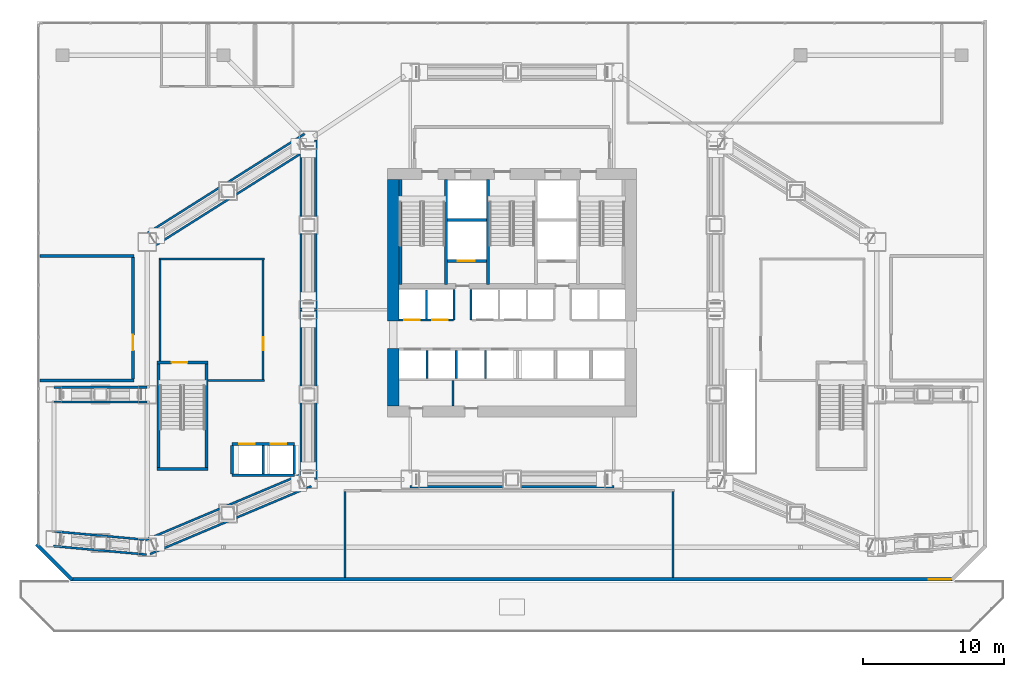
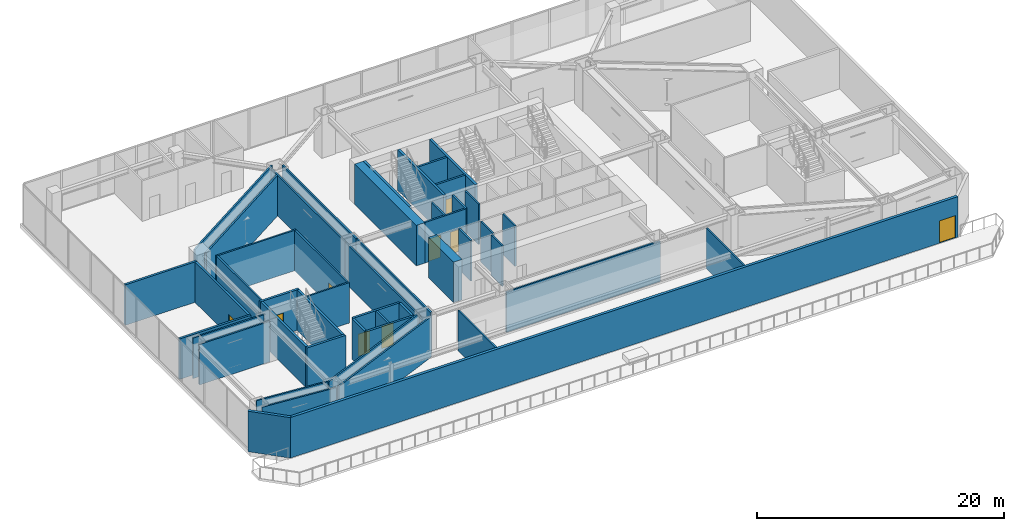
# One storey, part 32 of 39: 48 walls, 9 doors, 9 openings.
"""IFC4 building model written with IfcOpenShell, lengths in metres."""

import ifcopenshell
import ifcopenshell.guid

model = None  # the IFC model being written
_history = None  # IfcOwnerHistory: only IFC2X3 demands one
_inside = {}  # id of a spatial element -> (the spatial element, [elements in it])
_under = {}  # id of a project, library or spatial element -> (it, [spatial elements below it])
_declared = {}  # id of a project -> (the project, [libraries it declares])
_typed = {}  # id of a type object -> (the type object, [elements of that type])
_made_of = {}  # id of a material, layer set ... -> (it, [elements and type objects made of it])


def new_model(schema):
    """Start an empty IFC model of exactly this schema.

    Asked for "IFC4X3", IfcOpenShell would pick the latest addendum, in which some entities
    have other attributes; the version numbers below select the first issue.
    IFC2X3 requires an IfcOwnerHistory on every rooted entity: one is made here for all.
    """
    global model, _history
    if schema == "IFC4X3":
        model = ifcopenshell.file(schema_version=(4, 3, 0, 0))
    else:
        model = ifcopenshell.file(schema=schema)
    _inside.clear()
    _under.clear()
    _declared.clear()
    _typed.clear()
    _made_of.clear()
    _history = None
    if model.schema == "IFC2X3":
        org = make("IfcOrganization", Name="unknown")
        user = make(
            "IfcPersonAndOrganization",
            ThePerson=make("IfcPerson", FamilyName="unknown"),
            TheOrganization=org,
        )
        app = make(
            "IfcApplication",
            ApplicationDeveloper=org,
            Version="unknown",
            ApplicationFullName="unknown",
            ApplicationIdentifier="unknown",
        )
        _history = make(
            "IfcOwnerHistory",
            OwningUser=user,
            OwningApplication=app,
            ChangeAction="ADDED",
            CreationDate=0,
        )
    return model


def make(cls, **values):
    """One entity of the class cls with the attributes given. An attribute that is None is left unset."""
    return model.create_entity(
        cls, **{name: value for name, value in values.items() if value is not None}
    )


def rooted(cls, **values):
    """An entity with a GlobalId (a new one), such as an element, a storey or a relation."""
    return make(cls, GlobalId=ifcopenshell.guid.new(), OwnerHistory=_history, **values)


def si_unit(unit_type, name, prefix=None):
    """IfcSIUnit, for example si_unit("LENGTHUNIT", "METRE", prefix="MILLI")."""
    return make("IfcSIUnit", UnitType=unit_type, Prefix=prefix, Name=name)


def assignment(units):
    """IfcUnitAssignment: the units of a project."""
    return None if units is None else make("IfcUnitAssignment", Units=units)


def point(xyz):
    """IfcCartesianPoint."""
    return None if xyz is None else make("IfcCartesianPoint", Coordinates=xyz)


def direction(xyz):
    """IfcDirection."""
    return None if xyz is None else make("IfcDirection", DirectionRatios=xyz)


def frame(location, z_axis=None, x_axis=None):
    """IfcAxis2Placement3D, a coordinate frame: its origin and axes. An axis left out is left unset."""
    return make(
        "IfcAxis2Placement3D",
        Location=point(location),
        Axis=direction(z_axis),
        RefDirection=direction(x_axis),
    )


def frame_2d(location, x_axis=None):
    """IfcAxis2Placement2D, a coordinate frame in the plane: its origin and x axis."""
    return make(
        "IfcAxis2Placement2D", Location=point(location), RefDirection=direction(x_axis)
    )


def origin():
    """The frame at (0, 0, 0) with its axes left unset."""
    return frame((0.0, 0.0, 0.0))


def place(relative_to, where):
    """IfcLocalPlacement: puts the frame where relative to a parent placement (None: the world)."""
    return make(
        "IfcLocalPlacement", PlacementRelTo=relative_to, RelativePlacement=where
    )


def context(
    kind, dimensions, precision=None, world=None, true_north=None, identifier=None
):
    """IfcGeometricRepresentationContext, for example the 3D "Model" context."""
    return make(
        "IfcGeometricRepresentationContext",
        ContextIdentifier=identifier,
        ContextType=kind,
        CoordinateSpaceDimension=dimensions,
        Precision=precision,
        WorldCoordinateSystem=world,
        TrueNorth=true_north,
    )


def subcontext(parent, identifier, kind, view, scale=None):
    """IfcGeometricRepresentationSubContext, for example "Body" below "Model"."""
    return make(
        "IfcGeometricRepresentationSubContext",
        ContextIdentifier=identifier,
        ContextType=kind,
        ParentContext=parent,
        TargetScale=scale,
        TargetView=view,
    )


def project(units=None, contexts=None):
    """IfcProject with its units and contexts."""
    return rooted(
        "IfcProject",
        Name="project",
        RepresentationContexts=contexts,
        UnitsInContext=assignment(units),
    )


def spatial(cls, under=None, at=None, **own):
    """A site, building, storey or space (cls), placed at a placement, below another one or the project."""
    s = rooted(cls, ObjectPlacement=at, **own)
    if under is not None:
        _under.setdefault(under.id(), (under, []))[1].append(s)
    return s


def profile(cls, at=None, kind="AREA", **sizes):
    """A parametric profile (cls). Its sizes go by their IFC names, for example OverallWidth=200.0."""
    return make(cls, ProfileType=kind, Position=at, **sizes)


def rectangle(**sizes):
    """IfcRectangleProfileDef."""
    return profile("IfcRectangleProfileDef", **sizes)


def extrude(swept, where, along, depth):
    """IfcExtrudedAreaSolid: the profile swept, set in the frame where, extruded along a direction by depth."""
    return make(
        "IfcExtrudedAreaSolid",
        SweptArea=swept,
        Position=where,
        ExtrudedDirection=direction(along),
        Depth=depth,
    )


def shape(context_of_items, identifier, shape_type, items):
    """IfcShapeRepresentation: the items that make up one representation, for example the "Body"."""
    return make(
        "IfcShapeRepresentation",
        ContextOfItems=context_of_items,
        RepresentationIdentifier=identifier,
        RepresentationType=shape_type,
        Items=items,
    )


def material(Name=None, Category=None):
    """IfcMaterial."""
    return make("IfcMaterial", Name=Name, Category=Category)


def layer(
    of_material, thickness, ventilated=None, Name=None, Category=None, Priority=None
):
    """IfcMaterialLayer: one layer of a wall or slab, of a material (None: an air gap)."""
    return make(
        "IfcMaterialLayer",
        Material=of_material,
        LayerThickness=thickness,
        IsVentilated=ventilated,
        Name=Name,
        Category=Category,
        Priority=Priority,
    )


def layer_set(layers, Name=None):
    """IfcMaterialLayerSet."""
    return make("IfcMaterialLayerSet", MaterialLayers=layers, LayerSetName=Name)


def made_of(thing, what):
    """Note that an element or type object is made of a material, layer set ...; save() writes the relation."""
    if what is not None:
        _made_of.setdefault(what.id(), (what, []))[1].append(thing)
    return thing


def type_object(cls, material=None, **own):
    """A type object (cls), such as IfcWallType, which elements share."""
    return made_of(rooted(cls, **own), material)


def element(
    cls,
    number,
    at=None,
    inside=None,
    cuts=None,
    type_object=None,
    material=None,
    context=None,
    identifier="Body",
    shape_type=None,
    held_by="IfcProductDefinitionShape",
    body=None,
    shapes=None,
    **own,
):
    """One element of the class cls, such as IfcWall. Its Tag is "e" and its number.

    at: its placement. inside: the storey or other place that contains it. cuts: it is an
    opening in that element (IfcRelVoidsElement). A single representation is given by context,
    identifier, shape_type and body (its items); several are given by shapes. held_by: the class
    of the entity that holds the representations. save() writes the other relations.
    """
    e = rooted(cls, Tag="e%d" % number, ObjectPlacement=at, **own)
    if body is not None:
        shapes = [shape(context, identifier, shape_type, body)]
    if shapes is not None:
        e.Representation = make(held_by, Representations=shapes)
    if inside is not None:
        _inside.setdefault(inside.id(), (inside, []))[1].append(e)
    if cuts is not None:
        rooted(
            "IfcRelVoidsElement", RelatingBuildingElement=cuts, RelatedOpeningElement=e
        )
    if type_object is not None:
        _typed.setdefault(type_object.id(), (type_object, []))[1].append(e)
    return made_of(e, material)


def fill(opening, filler):
    """IfcRelFillsElement: the door or window that sits in an opening."""
    return rooted(
        "IfcRelFillsElement",
        RelatingOpeningElement=opening,
        RelatedBuildingElement=filler,
    )


def aggregate(whole, parts):
    """IfcRelAggregates: a whole, such as a stair, and the parts it consists of."""
    return rooted("IfcRelAggregates", RelatingObject=whole, RelatedObjects=parts)


def save(model, path):
    """Write the relations noted so far, then the file.

    IfcRelAggregates (storeys below a building ...), IfcRelContainedInSpatialStructure (elements
    in a storey), IfcRelDefinesByType, IfcRelAssociatesMaterial and IfcRelDeclares: one each for
    every whole, place, type object, material and project.
    """
    for whole, parts in _under.values():
        aggregate(whole, parts)
    for where, things in _inside.values():
        rooted(
            "IfcRelContainedInSpatialStructure",
            RelatedElements=things,
            RelatingStructure=where,
        )
    for kind, things in _typed.values():
        rooted("IfcRelDefinesByType", RelatedObjects=things, RelatingType=kind)
    for what, things in _made_of.values():
        rooted("IfcRelAssociatesMaterial", RelatedObjects=things, RelatingMaterial=what)
    for by, libraries in _declared.values():
        rooted("IfcRelDeclares", RelatingContext=by, RelatedDefinitions=libraries)
    model.write(path)


model = new_model("IFC4")

# Units and contexts
model_context = context("Model", 3, precision=1e-05, world=origin(), true_north=direction((0.0, 1.0)))
body_context = subcontext(model_context, "Body", "Model", "MODEL_VIEW")
ifc_project = project(units=[si_unit("LENGTHUNIT", "METRE"), si_unit("AREAUNIT", "SQUARE_METRE"), si_unit("VOLUMEUNIT", "CUBIC_METRE"), si_unit("PLANEANGLEUNIT", "RADIAN"), si_unit("MASSUNIT", "GRAM", prefix="KILO")], contexts=[model_context])

# Site, building, storey
site_placement = place(None, origin())
site = spatial("IfcSite", under=ifc_project, at=site_placement, CompositionType="ELEMENT")
building_placement = place(site_placement, origin())
building = spatial("IfcBuilding", under=site, at=building_placement, Name="Haolan Belvedere Tower", CompositionType="ELEMENT")
storey_placement = place(building_placement, frame((0.0, 0.0, 19.800048828125)))
storey = spatial("IfcBuildingStorey", under=building, at=storey_placement, Name="L04", CompositionType="ELEMENT", Elevation=19.800048828125)

# Walls
ifc_material_1 = material(Name="Concrete C70/85", Category="concrete")
ifc_layer_1 = layer(ifc_material_1, 0.800048828125, Name="Concrete C70/85")
ifc_layer_set_1 = layer_set([ifc_layer_1], Name="Concrete C70/85")
wall_type_1 = type_object("IfcWallType", Name="WL-CORE-800", PredefinedType="SHEAR", material=ifc_layer_set_1)
wall_1_placement = place(storey_placement, frame((30.0, 26.800048828125, 0.0), z_axis=(0.0, 0.0, 1.0), x_axis=(0.0, 1.0, 0.0)))
element("IfcWall", 1, at=wall_1_placement, inside=storey, type_object=wall_type_1, Name="L04 central core shear wall WS", PredefinedType="SHEAR", context=body_context, shape_type="SweptSolid", body=[
    extrude(rectangle(XDim=4.050048828125, YDim=0.800048828125, at=frame_2d((2.02490234375, 0.0))), origin(), (0.0, 0.0, 1.0), 4.0),
])
wall_2_placement = place(storey_placement, frame((30.0, 32.800048828125, 0.0), z_axis=(0.0, 0.0, 1.0), x_axis=(0.0, 1.0, 0.0)))
element("IfcWall", 2, at=wall_2_placement, inside=storey, type_object=wall_type_1, Name="L04 central core shear wall WN", PredefinedType="SHEAR", context=body_context, shape_type="SweptSolid", body=[
    extrude(rectangle(XDim=10.0, YDim=0.800048828125, at=frame_2d((5.0, 0.0))), origin(), (0.0, 0.0, 1.0), 4.0),
])
ifc_material_2 = material(Name="Precast concrete C40/50", Category="concrete")
ifc_layer_2 = layer(ifc_material_2, 0.260009765625, Name="Precast concrete C40/50")
ifc_layer_set_2 = layer_set([ifc_layer_2], Name="Precast concrete C40/50")
wall_type_2 = type_object("IfcWallType", Name="WL-EXT-260", PredefinedType="SOLIDWALL", material=ifc_layer_set_2)
wall_3_placement = place(storey_placement, frame((4.77099609375, 17.012939453125, 0.0), z_axis=(0.0, 0.0, 1.0), x_axis=(0.707106781187, -0.707106781187, 0.0)))
element("IfcWall", 3, at=wall_3_placement, inside=storey, type_object=wall_type_2, Name="L04 pale-metal exterior spandrel wall 5.1", PredefinedType="SOLIDWALL", context=body_context, shape_type="SweptSolid", body=[
    extrude(rectangle(XDim=3.566162109375, YDim=0.260009765625, at=frame_2d((1.783203125, 0.0))), origin(), (0.0, 0.0, 1.0), 4.0),
])

# Wall, opening, door
wall_4_placement = place(storey_placement, frame((7.19873046875, 14.530029296875, 0.0), z_axis=(0.0, 0.0, 1.0), x_axis=(1.0, 0.0, 0.0)))
wall_4 = element("IfcWall", 4, at=wall_4_placement, inside=storey, type_object=wall_type_2, Name="L04 pale-metal exterior spandrel wall 6.1", PredefinedType="SOLIDWALL", context=body_context, shape_type="SweptSolid", body=[
    extrude(rectangle(XDim=62.402587890625, YDim=0.260009765625, at=frame_2d((31.201171875, 0.0))), origin(), (0.0, 0.0, 1.0), 4.0),
])
opening_1_placement = place(wall_4_placement, frame((62.182373046875, 0.0, 0.0), z_axis=(0.0, 0.0, 1.0), x_axis=(-1.0, 0.0, 0.0)))
opening_1 = element("IfcOpeningElement", 5, at=opening_1_placement, cuts=wall_4, Name="Opening TD-01", PredefinedType="OPENING", context=body_context, shape_type="SweptSolid", body=[
    extrude(rectangle(XDim=1.5, YDim=2.199951171875, at=frame_2d((0.75, 1.10009765625))), frame((0.0, 0.139892578125, 0.0), z_axis=(0.0, -1.0, 0.0), x_axis=(1.0, 0.0, 0.0)), (0.0, 0.0, 1.0), 0.280029296875),
])
ifc_material_3 = material(Name="Thermally broken pale-metal aluminium and Low-E glass", Category="aluminium")
door_type_1 = type_object("IfcDoorType", Name="DR-TER-1500", OperationType="DOUBLE_DOOR_SINGLE_SWING", PredefinedType="DOOR", material=ifc_material_3)
door_1_placement = place(opening_1_placement, origin())
door_1 = element("IfcDoor", 6, at=door_1_placement, inside=storey, type_object=door_type_1, Name="L04 garden terrace access door 1", OperationType="DOUBLE_DOOR_SINGLE_SWING", OverallHeight=2.199951171875, OverallWidth=1.5, PredefinedType="DOOR", context=body_context, shape_type="SweptSolid", body=[
    extrude(rectangle(XDim=1.5, YDim=2.199951171875, at=frame_2d((0.75, 1.10009765625))), frame((0.0, 0.02490234375, 0.0), z_axis=(0.0, -1.0, 0.0), x_axis=(1.0, 0.0, 0.0)), (0.0, 0.0, 1.0), 0.050048828125),
])
fill(opening_1, door_1)

# Walls
ifc_material_4 = material(Name="Concrete C40/50", Category="concrete")
ifc_layer_3 = layer(ifc_material_4, 0.199951171875, Name="Concrete C40/50")
ifc_layer_set_3 = layer_set([ifc_layer_3], Name="Concrete C40/50")
wall_type_3 = type_object("IfcWallType", Name="WL-FIRE-200", PredefinedType="SOLIDWALL", material=ifc_layer_set_3)
for number, where, z_axis, x_axis, name in (
    (7, (5.011962890625, 37.39990234375, 0.0), (0.0, 0.0, 1.0), (1.0, 0.0, 0.0), "L04 interior partition IW-L04-TTPW-N"),
    (8, (5.011962890625, 28.60009765625, 0.0), (0.0, 0.0, 1.0), (1.0, 0.0, 0.0), "L04 interior partition IW-L04-TTPW-S"),
):
    element("IfcWall", number, at=place(storey_placement, frame(where, z_axis=z_axis, x_axis=x_axis)), inside=storey, type_object=wall_type_3, Name=name, PredefinedType="SOLIDWALL", context=body_context, shape_type="SweptSolid", body=[
        extrude(rectangle(XDim=6.66796875, YDim=0.199951171875, at=frame_2d((3.333984375, 0.0))), origin(), (0.0, 0.0, 1.0), 4.0),
    ])

# Wall, opening, door
wall_5_placement = place(storey_placement, frame((11.60009765625, 28.68505859375, 0.0), z_axis=(0.0, 0.0, 1.0), x_axis=(0.0, 1.0, 0.0)))
wall_5 = element("IfcWall", 9, at=wall_5_placement, inside=storey, type_object=wall_type_3, Name="L04 interior partition IW-L04-TTPW-E", PredefinedType="SOLIDWALL", context=body_context, shape_type="SweptSolid", body=[
    extrude(rectangle(XDim=8.6298828125, YDim=0.199951171875, at=frame_2d((4.31494140625, 0.0))), origin(), (0.0, 0.0, 1.0), 4.0),
])
opening_2_placement = place(wall_5_placement, frame((3.135009765625, 0.0, 0.0), z_axis=(0.0, 0.0, 1.0), x_axis=(-1.0, 0.0, 0.0)))
opening_2 = element("IfcOpeningElement", 10, at=opening_2_placement, cuts=wall_5, Name="Opening FD-03", PredefinedType="OPENING", context=body_context, shape_type="SweptSolid", body=[
    extrude(rectangle(XDim=1.10009765625, YDim=2.14990234375, at=frame_2d((0.550048828125, 1.074951171875))), frame((0.0, 0.10986328125, 0.0), z_axis=(0.0, -1.0, 0.0), x_axis=(1.0, 0.0, 0.0)), (0.0, 0.0, 1.0), 0.219970703125),
])
ifc_material_5 = material(Name="Galvanised fire-rated steel", Category="steel")
door_type_2 = type_object("IfcDoorType", Name="DR-FD90-1100", OperationType="NOTDEFINED", PredefinedType="DOOR", material=ifc_material_5)
door_2_placement = place(opening_2_placement, origin())
door_2 = element("IfcDoor", 11, at=door_2_placement, inside=storey, type_object=door_type_2, Name="L04 door ID-L04-TTPW", OperationType="SINGLE_SWING_LEFT", OverallHeight=2.14990234375, OverallWidth=1.10009765625, PredefinedType="DOOR", context=body_context, shape_type="SweptSolid", body=[
    extrude(rectangle(XDim=1.10009765625, YDim=2.14990234375, at=frame_2d((0.550048828125, 1.074951171875))), frame((0.0, 0.02490234375, 0.0), z_axis=(0.0, -1.0, 0.0), x_axis=(1.0, 0.0, 0.0)), (0.0, 0.0, 1.0), 0.050048828125),
])
fill(opening_2, door_2)

# Walls
ifc_material_6 = material(Name="Double gypsum acoustic stud partition", Category="masonry")
ifc_layer_4 = layer(ifc_material_6, 0.14990234375, Name="Double gypsum acoustic stud partition")
ifc_layer_set_4 = layer_set([ifc_layer_4], Name="Double gypsum acoustic stud partition")
wall_type_4 = type_object("IfcWallType", Name="WL-PART-150", PredefinedType="PARTITIONING", material=ifc_layer_set_4)
wall_6_placement = place(storey_placement, frame((34.22998046875, 26.81005859375, 0.0), z_axis=(0.0, 0.0, 1.0), x_axis=(0.0, 1.0, 0.0)))
element("IfcWall", 12, at=wall_6_placement, inside=storey, type_object=wall_type_4, Name="L04 interior partition IW-L04-SCV-DIV-1", PredefinedType="PARTITIONING", context=body_context, shape_type="SweptSolid", body=[
    extrude(rectangle(XDim=1.77001953125, YDim=0.14990234375, at=frame_2d((0.885009765625, 0.0))), origin(), (0.0, 0.0, 1.0), 4.0),
])
for number, where, z_axis, x_axis, name in (
    (13, (24.52001953125, 21.60009765625, 0.0), (0.0, 0.0, 1.0), (0.0, 1.0, 0.0), "L04 interior partition IW-L04-CH-TT-T3-W1-1"),
    (14, (23.47998046875, 21.60009765625, 0.0), (0.0, 0.0, 1.0), (0.0, 1.0, 0.0), "L04 interior partition IW-L04-CH-TT-T3-W1-2"),
):
    element("IfcWall", number, at=place(storey_placement, frame(where, z_axis=z_axis, x_axis=x_axis)), inside=storey, type_object=wall_type_4, Name=name, PredefinedType="PARTITIONING", context=body_context, shape_type="SweptSolid", body=[
        extrude(rectangle(XDim=12.0, YDim=0.14990234375, at=frame_2d((6.0, 0.0))), origin(), (0.0, 0.0, 1.0), 4.0),
    ])
for number, where, z_axis, x_axis, name in (
    (15, (24.52001953125, 33.60205078125, 0.0), (0.0, 0.0, 1.0), (0.0, 1.0, 0.0), "L04 interior partition IW-L04-CH-TT-T3-W2-1"),
    (16, (23.47998046875, 33.60205078125, 0.0), (0.0, 0.0, 1.0), (0.0, 1.0, 0.0), "L04 interior partition IW-L04-CH-TT-T3-W2-2"),
):
    element("IfcWall", number, at=place(storey_placement, frame(where, z_axis=z_axis, x_axis=x_axis)), inside=storey, type_object=wall_type_4, Name=name, PredefinedType="PARTITIONING", context=body_context, shape_type="SweptSolid", body=[
        extrude(rectangle(XDim=11.998046875, YDim=0.14990234375, at=frame_2d((5.9990234375, 0.0))), origin(), (0.0, 0.0, 1.0), 4.0),
    ])
wall_7_placement = place(storey_placement, frame((31.199951171875, 21.080078125, 0.0), z_axis=(0.0, 0.0, 1.0), x_axis=(1.0, 0.0, 0.0)))
element("IfcWall", 17, at=wall_7_placement, inside=storey, type_object=wall_type_4, Name="L04 interior partition IW-L04-CH-TT-T3-SM-1", PredefinedType="PARTITIONING", context=body_context, shape_type="SweptSolid", body=[
    extrude(rectangle(XDim=14.400146484375, YDim=0.14990234375, at=frame_2d((7.2001953125, 0.0))), origin(), (0.0, 0.0, 1.0), 4.0),
])
wall_8_placement = place(storey_placement, frame((12.8017578125, 16.32080078125, 0.0), z_axis=(0.0, 0.0, 1.0), x_axis=(0.921642805559, 0.388039352335, 0.0)))
element("IfcWall", 18, at=wall_8_placement, inside=storey, type_object=wall_type_4, Name="L04 interior partition IW-L04-CH-TT-T2-S-1", PredefinedType="PARTITIONING", context=body_context, shape_type="SweptSolid", body=[
    extrude(rectangle(XDim=12.369384765625, YDim=0.14990234375, at=frame_2d((6.1845703125, 0.0))), origin(), (0.0, 0.0, 1.0), 4.0),
])
wall_9_placement = place(storey_placement, frame((12.398193359375, 17.279296875, 0.0), z_axis=(0.0, 0.0, 1.0), x_axis=(0.921631147996, 0.388067039368, 0.0)))
element("IfcWall", 19, at=wall_9_placement, inside=storey, type_object=wall_type_4, Name="L04 interior partition IW-L04-CH-TT-T2-S-2", PredefinedType="PARTITIONING", context=body_context, shape_type="SweptSolid", body=[
    extrude(rectangle(XDim=11.958984375, YDim=0.14990234375, at=frame_2d((5.9794921875, 0.0))), origin(), (0.0, 0.0, 1.0), 4.0),
])
wall_10_placement = place(storey_placement, frame((12.877685546875, 37.960205078125, 0.0), z_axis=(0.0, 0.0, 1.0), x_axis=(0.845481923966, 0.534004041415, 0.0)))
element("IfcWall", 20, at=wall_10_placement, inside=storey, type_object=wall_type_4, Name="L04 interior partition IW-L04-CH-TT-T2-N-1", PredefinedType="PARTITIONING", context=body_context, shape_type="SweptSolid", body=[
    extrude(rectangle(XDim=12.468994140625, YDim=0.14990234375, at=frame_2d((6.234375, 0.0))), origin(), (0.0, 0.0, 1.0), 4.0),
])
wall_11_placement = place(storey_placement, frame((12.322265625, 38.839599609375, 0.0), z_axis=(0.0, 0.0, 1.0), x_axis=(0.845485460976, 0.53399844127, 0.0)))
element("IfcWall", 21, at=wall_11_placement, inside=storey, type_object=wall_type_4, Name="L04 interior partition IW-L04-CH-TT-T2-N-2", PredefinedType="PARTITIONING", context=body_context, shape_type="SweptSolid", body=[
    extrude(rectangle(XDim=13.483642578125, YDim=0.14990234375, at=frame_2d((6.74169921875, 0.0))), origin(), (0.0, 0.0, 1.0), 4.0),
])
wall_12_placement = place(storey_placement, frame((5.952880859375, 16.882080078125, 0.0), z_axis=(0.0, 0.0, 1.0), x_axis=(0.995891998559, -0.090549032051, 0.0)))
element("IfcWall", 22, at=wall_12_placement, inside=storey, type_object=wall_type_4, Name="L04 interior partition IW-L04-CH-TT-T1-S-1", PredefinedType="PARTITIONING", context=body_context, shape_type="SweptSolid", body=[
    extrude(rectangle(XDim=6.62744140625, YDim=0.14990234375, at=frame_2d((3.313720703125, 0.0))), origin(), (0.0, 0.0, 1.0), 4.0),
])
wall_13_placement = place(storey_placement, frame((6.047119140625, 17.91796875, 0.0), z_axis=(0.0, 0.0, 1.0), x_axis=(0.995893520631, -0.090532290179, 0.0)))
element("IfcWall", 23, at=wall_13_placement, inside=storey, type_object=wall_type_4, Name="L04 interior partition IW-L04-CH-TT-T1-S-2", PredefinedType="PARTITIONING", context=body_context, shape_type="SweptSolid", body=[
    extrude(rectangle(XDim=6.36962890625, YDim=0.14990234375, at=frame_2d((3.184814453125, 0.0))), origin(), (0.0, 0.0, 1.0), 4.0),
])
for number, where, z_axis, x_axis, name in (
    (24, (6.0, 27.080078125, 0.0), (0.0, 0.0, 1.0), (1.0, 0.0, 0.0), "L04 interior partition IW-L04-CH-TT-T1-N-1"),
    (25, (6.0, 28.1201171875, 0.0), (0.0, 0.0, 1.0), (1.0, 0.0, 0.0), "L04 interior partition IW-L04-CH-TT-T1-N-2"),
):
    element("IfcWall", number, at=place(storey_placement, frame(where, z_axis=z_axis, x_axis=x_axis)), inside=storey, type_object=wall_type_4, Name=name, PredefinedType="PARTITIONING", context=body_context, shape_type="SweptSolid", body=[
        extrude(rectangle(XDim=6.60009765625, YDim=0.14990234375, at=frame_2d((3.300048828125, 0.0))), origin(), (0.0, 0.0, 1.0), 4.0),
    ])
for number, where, z_axis, x_axis, name in (
    (26, (26.60009765625, 14.64501953125, 0.0), (0.0, 0.0, 1.0), (0.0, 1.0, 0.0), "L04 interior partition IW-L04-SPAL-W"),
    (27, (49.800048828125, 14.64501953125, 0.0), (0.0, 0.0, 1.0), (0.0, 1.0, 0.0), "L04 interior partition IW-L04-SPAL-E"),
):
    element("IfcWall", number, at=place(storey_placement, frame(where, z_axis=z_axis, x_axis=x_axis)), inside=storey, type_object=wall_type_4, Name=name, PredefinedType="PARTITIONING", context=body_context, shape_type="SweptSolid", body=[
        extrude(rectangle(XDim=6.094970703125, YDim=0.14990234375, at=frame_2d((3.04736328125, 0.0))), origin(), (0.0, 0.0, 1.0), 4.0),
    ])
wall_14_placement = place(storey_placement, frame((13.419921875, 37.199951171875, 0.0), z_axis=(0.0, 0.0, 1.0), x_axis=(1.0, 0.0, 0.0)))
element("IfcWall", 28, at=wall_14_placement, inside=storey, type_object=wall_type_4, Name="L04 interior partition IW-L04-GYM-N", PredefinedType="PARTITIONING", context=body_context, shape_type="SweptSolid", body=[
    extrude(rectangle(XDim=7.4599609375, YDim=0.14990234375, at=frame_2d((3.72998046875, 0.0))), origin(), (0.0, 0.0, 1.0), 4.0),
])
wall_15_placement = place(storey_placement, frame((16.885009765625, 28.60009765625, 0.0), z_axis=(0.0, 0.0, 1.0), x_axis=(1.0, 0.0, 0.0)))
element("IfcWall", 29, at=wall_15_placement, inside=storey, type_object=wall_type_4, Name="L04 interior partition IW-L04-GYM-S", PredefinedType="PARTITIONING", context=body_context, shape_type="SweptSolid", body=[
    extrude(rectangle(XDim=3.994873046875, YDim=0.14990234375, at=frame_2d((1.99755859375, 0.0))), origin(), (0.0, 0.0, 1.0), 4.0),
])
wall_16_placement = place(storey_placement, frame((13.5, 29.955078125, 0.0), z_axis=(0.0, 0.0, 1.0), x_axis=(0.0, 1.0, 0.0)))
element("IfcWall", 30, at=wall_16_placement, inside=storey, type_object=wall_type_4, Name="L04 interior partition IW-L04-GYM-W", PredefinedType="PARTITIONING", context=body_context, shape_type="SweptSolid", body=[
    extrude(rectangle(XDim=7.184814453125, YDim=0.14990234375, at=frame_2d((3.59228515625, 0.0))), origin(), (0.0, 0.0, 1.0), 4.0),
])

# Wall, opening, door
wall_17_placement = place(storey_placement, frame((20.800048828125, 28.659912109375, 0.0), z_axis=(0.0, 0.0, 1.0), x_axis=(0.0, 1.0, 0.0)))
wall_17 = element("IfcWall", 31, at=wall_17_placement, inside=storey, type_object=wall_type_4, Name="L04 interior partition IW-L04-GYM-E", PredefinedType="PARTITIONING", context=body_context, shape_type="SweptSolid", body=[
    extrude(rectangle(XDim=8.47998046875, YDim=0.14990234375, at=frame_2d((4.239990234375, 0.0))), origin(), (0.0, 0.0, 1.0), 4.0),
])
opening_3_placement = place(wall_17_placement, frame((3.010009765625, 0.0, 0.0), z_axis=(0.0, 0.0, 1.0), x_axis=(-1.0, 0.0, 0.0)))
opening_3 = element("IfcOpeningElement", 32, at=opening_3_placement, cuts=wall_17, Name="Opening ID-03", PredefinedType="OPENING", context=body_context, shape_type="SweptSolid", body=[
    extrude(rectangle(XDim=0.949951171875, YDim=2.1201171875, at=frame_2d((0.47509765625, 1.06005859375))), frame((0.0, 0.0849609375, 0.0), z_axis=(0.0, -1.0, 0.0), x_axis=(1.0, 0.0, 0.0)), (0.0, 0.0, 1.0), 0.169921875),
])
ifc_material_7 = material(Name="Painted solid-core timber", Category="wood")
door_type_3 = type_object("IfcDoorType", Name="DR-INT-950", OperationType="NOTDEFINED", PredefinedType="DOOR", material=ifc_material_7)
door_3_placement = place(opening_3_placement, origin())
door_3 = element("IfcDoor", 33, at=door_3_placement, inside=storey, type_object=door_type_3, Name="L04 door ID-L04-GYM", OperationType="SINGLE_SWING_LEFT", OverallHeight=2.1201171875, OverallWidth=0.949951171875, PredefinedType="DOOR", context=body_context, shape_type="SweptSolid", body=[
    extrude(rectangle(XDim=0.949951171875, YDim=2.1201171875, at=frame_2d((0.47509765625, 1.06005859375))), frame((0.0, 0.02490234375, 0.0), z_axis=(0.0, -1.0, 0.0), x_axis=(1.0, 0.0, 0.0)), (0.0, 0.0, 1.0), 0.050048828125),
])
fill(opening_3, door_3)

# Walls
ifc_material_8 = material(Name="Gypsum fire shaftwall assembly", Category="masonry")
ifc_layer_5 = layer(ifc_material_8, 0.1650390625, Name="Gypsum fire shaftwall assembly")
ifc_layer_set_5 = layer_set([ifc_layer_5], Name="Gypsum fire shaftwall assembly")
wall_type_5 = type_object("IfcWallType", Name="WL-SHAFT-160", PredefinedType="SOLIDWALL", material=ifc_layer_set_5)
for number, where, z_axis, x_axis, name in (
    (34, (34.31005859375, 32.8798828125, 0.0), (0.0, 0.0, 1.0), (0.0, 1.0, 0.0), "L04 interior partition IW-L04-SVP-W-SV1"),
    (35, (35.510009765625, 32.8798828125, 0.0), (0.0, 0.0, 1.0), (0.0, 1.0, 0.0), "L04 interior partition IW-L04-SVP-E-SV1"),
):
    element("IfcWall", number, at=place(storey_placement, frame(where, z_axis=z_axis, x_axis=x_axis)), inside=storey, type_object=wall_type_5, Name=name, PredefinedType="SOLIDWALL", context=body_context, shape_type="SweptSolid", body=[
        extrude(rectangle(XDim=2.170166015625, YDim=0.14990234375, at=frame_2d((1.0849609375, 0.0))), origin(), (0.0, 0.0, 1.0), 4.0),
    ])

# Wall, openings, doors
wall_18_placement = place(storey_placement, frame((30.39990234375, 32.8798828125, 0.0), z_axis=(0.0, 0.0, 1.0), x_axis=(1.0, 0.0, 0.0)))
wall_18 = element("IfcWall", 36, at=wall_18_placement, inside=storey, type_object=wall_type_5, Name="L04 interior partition IW-L04-ROW-PN1", PredefinedType="SOLIDWALL", context=body_context, shape_type="SweptSolid", body=[
    extrude(rectangle(XDim=3.85009765625, YDim=0.159912109375, at=frame_2d((1.925048828125, 0.0))), origin(), (0.0, 0.0, 1.0), 4.0),
])
opening_4_placement = place(wall_18_placement, frame((1.47998046875, 0.0, 0.0), z_axis=(0.0, 0.0, 1.0), x_axis=(-1.0, 0.0, 0.0)))
opening_4 = element("IfcOpeningElement", 37, at=opening_4_placement, cuts=wall_18, Name="Opening LD-01", PredefinedType="OPENING", context=body_context, shape_type="SweptSolid", body=[
    extrude(rectangle(XDim=1.10009765625, YDim=2.199951171875, at=frame_2d((0.550048828125, 1.10009765625))), frame((0.0, 0.08984375, 0.0), z_axis=(0.0, -1.0, 0.0), x_axis=(1.0, 0.0, 0.0)), (0.0, 0.0, 1.0), 0.179931640625),
])
opening_5_placement = place(wall_18_placement, frame((3.47021484375, 0.0, 0.0), z_axis=(0.0, 0.0, 1.0), x_axis=(-1.0, 0.0, 0.0)))
opening_5 = element("IfcOpeningElement", 38, at=opening_5_placement, cuts=wall_18, Name="Opening LD-01", PredefinedType="OPENING", context=body_context, shape_type="SweptSolid", body=[
    extrude(rectangle(XDim=1.10009765625, YDim=2.199951171875, at=frame_2d((0.550048828125, 1.10009765625))), frame((0.0, 0.08984375, 0.0), z_axis=(0.0, -1.0, 0.0), x_axis=(1.0, 0.0, 0.0)), (0.0, 0.0, 1.0), 0.179931640625),
])
ifc_material_9 = material(Name="Brushed champagne stainless steel 316L", Category="steel")
door_type_4 = type_object("IfcDoorType", Name="DR-LIFT-1100", OperationType="SLIDING_TO_LEFT", PredefinedType="DOOR", material=ifc_material_9)
door_4_placement = place(opening_4_placement, origin())
door_4 = element("IfcDoor", 39, at=door_4_placement, inside=storey, type_object=door_type_4, Name="L04 door ID-L04-LD-PL1", OperationType="SLIDING_TO_LEFT", OverallHeight=2.199951171875, OverallWidth=1.10009765625, PredefinedType="DOOR", context=body_context, shape_type="SweptSolid", body=[
    extrude(rectangle(XDim=1.10009765625, YDim=2.199951171875, at=frame_2d((0.550048828125, 1.10009765625))), frame((0.0, 0.02490234375, 0.0), z_axis=(0.0, -1.0, 0.0), x_axis=(1.0, 0.0, 0.0)), (0.0, 0.0, 1.0), 0.050048828125),
])
fill(opening_4, door_4)
door_5_placement = place(opening_5_placement, origin())
door_5 = element("IfcDoor", 40, at=door_5_placement, inside=storey, type_object=door_type_4, Name="L04 door ID-L04-LD-PL2", OperationType="SLIDING_TO_LEFT", OverallHeight=2.199951171875, OverallWidth=1.10009765625, PredefinedType="DOOR", context=body_context, shape_type="SweptSolid", body=[
    extrude(rectangle(XDim=1.10009765625, YDim=2.199951171875, at=frame_2d((0.550048828125, 1.10009765625))), frame((0.0, 0.02490234375, 0.0), z_axis=(0.0, -1.0, 0.0), x_axis=(1.0, 0.0, 0.0)), (0.0, 0.0, 1.0), 0.050048828125),
])
fill(opening_5, door_5)

# Walls
wall_19_placement = place(storey_placement, frame((32.340087890625, 32.949951171875, 0.0), z_axis=(0.0, 0.0, 1.0), x_axis=(0.0, 1.0, 0.0)))
element("IfcWall", 41, at=wall_19_placement, inside=storey, type_object=wall_type_5, Name="L04 interior partition IW-L04-DIV-PL1", PredefinedType="SOLIDWALL", context=body_context, shape_type="SweptSolid", body=[
    extrude(rectangle(XDim=2.050048828125, YDim=0.14990234375, at=frame_2d((1.02490234375, 0.0))), origin(), (0.0, 0.0, 1.0), 4.0),
])
for number, where, z_axis, x_axis, name in (
    (42, (32.39990234375, 28.735107421875, 0.0), (0.0, 0.0, 1.0), (0.0, 1.0, 0.0), "L04 interior partition IW-L04-DIV-PM1"),
    (43, (34.4599609375, 28.735107421875, 0.0), (0.0, 0.0, 1.0), (0.0, 1.0, 0.0), "L04 interior partition IW-L04-DIV-PM2"),
    (44, (36.52001953125, 28.735107421875, 0.0), (0.0, 0.0, 1.0), (0.0, 1.0, 0.0), "L04 interior partition IW-L04-DIV-PM3"),
):
    element("IfcWall", number, at=place(storey_placement, frame(where, z_axis=z_axis, x_axis=x_axis)), inside=storey, type_object=wall_type_5, Name=name, PredefinedType="SOLIDWALL", context=body_context, shape_type="SweptSolid", body=[
        extrude(rectangle(XDim=1.98486328125, YDim=0.14990234375, at=frame_2d((0.992431640625, 0.0))), origin(), (0.0, 0.0, 1.0), 4.0),
    ])
wall_20_placement = place(storey_placement, frame((20.800048828125, 22.0, 0.0), z_axis=(0.0, 0.0, 1.0), x_axis=(0.0, 1.0, 0.0)))
element("IfcWall", 45, at=wall_20_placement, inside=storey, type_object=wall_type_5, Name="L04 interior partition IW-L04-PB-M", PredefinedType="SOLIDWALL", context=body_context, shape_type="SweptSolid", body=[
    extrude(rectangle(XDim=2.0, YDim=0.159912109375, at=frame_2d((1.0, 0.0))), origin(), (0.0, 0.0, 1.0), 4.0),
])
ifc_layer_6 = layer(ifc_material_2, 0.179931640625, Name="Precast concrete C40/50")
ifc_layer_set_6 = layer_set([ifc_layer_6], Name="Precast concrete C40/50")
wall_type_6 = type_object("IfcWallType", Name="WL-SHAFT-180", PredefinedType="SOLIDWALL", material=ifc_layer_set_6)
wall_21_placement = place(storey_placement, frame((33.8349609375, 39.949951171875, 0.0), z_axis=(0.0, 0.0, 1.0), x_axis=(1.0, 0.0, 0.0)))
element("IfcWall", 46, at=wall_21_placement, inside=storey, type_object=wall_type_6, Name="L04 interior partition IW-L04-FF1-S", PredefinedType="SOLIDWALL", context=body_context, shape_type="SweptSolid", body=[
    extrude(rectangle(XDim=2.77001953125, YDim=0.179931640625, at=frame_2d((1.385009765625, 0.0))), origin(), (0.0, 0.0, 1.0), 4.0),
])

# Wall, opening, door
wall_22_placement = place(storey_placement, frame((33.8349609375, 37.050048828125, 0.0), z_axis=(0.0, 0.0, 1.0), x_axis=(1.0, 0.0, 0.0)))
wall_22 = element("IfcWall", 47, at=wall_22_placement, inside=storey, type_object=wall_type_6, Name="L04 interior partition IW-L04-SV1-S", PredefinedType="SOLIDWALL", context=body_context, shape_type="SweptSolid", body=[
    extrude(rectangle(XDim=2.77001953125, YDim=0.179931640625, at=frame_2d((1.385009765625, 0.0))), origin(), (0.0, 0.0, 1.0), 4.0),
])
opening_6_placement = place(wall_22_placement, frame((1.945068359375, 0.0, 0.0), z_axis=(0.0, 0.0, 1.0), x_axis=(-1.0, 0.0, 0.0)))
opening_6 = element("IfcOpeningElement", 48, at=opening_6_placement, cuts=wall_22, Name="Opening LD-02", PredefinedType="OPENING", context=body_context, shape_type="SweptSolid", body=[
    extrude(rectangle(XDim=1.199951171875, YDim=2.199951171875, at=frame_2d((0.60009765625, 1.10009765625))), frame((0.0, 0.099853515625, 0.0), z_axis=(0.0, -1.0, 0.0), x_axis=(1.0, 0.0, 0.0)), (0.0, 0.0, 1.0), 0.199951171875),
])
door_type_5 = type_object("IfcDoorType", Name="DR-LIFT-1200", OperationType="SLIDING_TO_RIGHT", PredefinedType="DOOR", material=ifc_material_9)
door_6_placement = place(opening_6_placement, origin())
door_6 = element("IfcDoor", 49, at=door_6_placement, inside=storey, type_object=door_type_5, Name="L04 door ID-L04-LD-SV1", OperationType="SLIDING_TO_RIGHT", OverallHeight=2.199951171875, OverallWidth=1.199951171875, PredefinedType="DOOR", context=body_context, shape_type="SweptSolid", body=[
    extrude(rectangle(XDim=1.199951171875, YDim=2.199951171875, at=frame_2d((0.60009765625, 1.10009765625))), frame((0.0, 0.02490234375, 0.0), z_axis=(0.0, -1.0, 0.0), x_axis=(1.0, 0.0, 0.0)), (0.0, 0.0, 1.0), 0.050048828125),
])
fill(opening_6, door_6)

# Wall, openings, doors
ifc_layer_7 = layer(ifc_material_2, 0.205078125, Name="Precast concrete C40/50")
ifc_layer_set_7 = layer_set([ifc_layer_7], Name="Precast concrete C40/50")
wall_type_7 = type_object("IfcWallType", Name="WL-SHAFT-200", PredefinedType="SOLIDWALL", material=ifc_layer_set_7)
wall_23_placement = place(storey_placement, frame((18.60009765625, 24.10009765625, 0.0), z_axis=(0.0, 0.0, 1.0), x_axis=(1.0, 0.0, 0.0)))
wall_23 = element("IfcWall", 50, at=wall_23_placement, inside=storey, type_object=wall_type_7, Name="L04 interior partition IW-L04-PB-N", PredefinedType="SOLIDWALL", context=body_context, shape_type="SweptSolid", body=[
    extrude(rectangle(XDim=4.39990234375, YDim=0.199951171875, at=frame_2d((2.199951171875, 0.0))), origin(), (0.0, 0.0, 1.0), 4.0),
])
opening_7_placement = place(wall_23_placement, frame((0.52001953125, 0.0, 0.0)))
opening_7 = element("IfcOpeningElement", 51, at=opening_7_placement, cuts=wall_23, Name="Opening LD-01", PredefinedType="OPENING", context=body_context, shape_type="SweptSolid", body=[
    extrude(rectangle(XDim=1.10009765625, YDim=2.199951171875, at=frame_2d((0.550048828125, 1.10009765625))), frame((0.0, 0.10986328125, 0.0), z_axis=(0.0, -1.0, 0.0), x_axis=(1.0, 0.0, 0.0)), (0.0, 0.0, 1.0), 0.219970703125),
])
opening_8_placement = place(wall_23_placement, frame((2.719970703125, 0.0, 0.0)))
opening_8 = element("IfcOpeningElement", 52, at=opening_8_placement, cuts=wall_23, Name="Opening LD-01", PredefinedType="OPENING", context=body_context, shape_type="SweptSolid", body=[
    extrude(rectangle(XDim=1.10009765625, YDim=2.199951171875, at=frame_2d((0.550048828125, 1.10009765625))), frame((0.0, 0.10986328125, 0.0), z_axis=(0.0, -1.0, 0.0), x_axis=(1.0, 0.0, 0.0)), (0.0, 0.0, 1.0), 0.219970703125),
])
door_7_placement = place(opening_7_placement, origin())
door_7 = element("IfcDoor", 53, at=door_7_placement, inside=storey, type_object=door_type_4, Name="L04 door ID-L04-LD-PB1", OperationType="SLIDING_TO_LEFT", OverallHeight=2.199951171875, OverallWidth=1.10009765625, PredefinedType="DOOR", context=body_context, shape_type="SweptSolid", body=[
    extrude(rectangle(XDim=1.10009765625, YDim=2.199951171875, at=frame_2d((0.550048828125, 1.10009765625))), frame((0.0, 0.02490234375, 0.0), z_axis=(0.0, -1.0, 0.0), x_axis=(1.0, 0.0, 0.0)), (0.0, 0.0, 1.0), 0.050048828125),
])
fill(opening_7, door_7)
door_8_placement = place(opening_8_placement, origin())
door_8 = element("IfcDoor", 54, at=door_8_placement, inside=storey, type_object=door_type_4, Name="L04 door ID-L04-LD-PB2", OperationType="SLIDING_TO_LEFT", OverallHeight=2.199951171875, OverallWidth=1.10009765625, PredefinedType="DOOR", context=body_context, shape_type="SweptSolid", body=[
    extrude(rectangle(XDim=1.10009765625, YDim=2.199951171875, at=frame_2d((0.550048828125, 1.10009765625))), frame((0.0, 0.02490234375, 0.0), z_axis=(0.0, -1.0, 0.0), x_axis=(1.0, 0.0, 0.0)), (0.0, 0.0, 1.0), 0.050048828125),
])
fill(opening_8, door_8)

# Walls
wall_24_placement = place(storey_placement, frame((18.60009765625, 21.89990234375, 0.0), z_axis=(0.0, 0.0, 1.0), x_axis=(1.0, 0.0, 0.0)))
element("IfcWall", 55, at=wall_24_placement, inside=storey, type_object=wall_type_7, Name="L04 interior partition IW-L04-PB-S", PredefinedType="SOLIDWALL", context=body_context, shape_type="SweptSolid", body=[
    extrude(rectangle(XDim=4.39990234375, YDim=0.199951171875, at=frame_2d((2.199951171875, 0.0))), origin(), (0.0, 0.0, 1.0), 4.0),
])
for number, where, z_axis, x_axis, name in (
    (56, (18.60009765625, 22.0, 0.0), (0.0, 0.0, 1.0), (0.0, 1.0, 0.0), "L04 interior partition IW-L04-PB-W"),
    (57, (23.0, 22.0, 0.0), (0.0, 0.0, 1.0), (0.0, 1.0, 0.0), "L04 interior partition IW-L04-PB-E"),
):
    element("IfcWall", number, at=place(storey_placement, frame(where, z_axis=z_axis, x_axis=x_axis)), inside=storey, type_object=wall_type_7, Name=name, PredefinedType="SOLIDWALL", context=body_context, shape_type="SweptSolid", body=[
        extrude(rectangle(XDim=2.0, YDim=0.199951171875, at=frame_2d((1.0, 0.0))), origin(), (0.0, 0.0, 1.0), 4.0),
    ])
ifc_material_10 = material(Name="Concrete C50/60", Category="concrete")
ifc_layer_8 = layer(ifc_material_10, 0.219970703125, Name="Concrete C50/60")
ifc_layer_set_8 = layer_set([ifc_layer_8], Name="Concrete C50/60")
wall_type_8 = type_object("IfcWallType", Name="WL-STAIR-220", PredefinedType="SHEAR", material=ifc_layer_set_8)
for number, where, z_axis, x_axis, name in (
    (58, (30.511962890625, 35.389892578125, 0.0), (0.0, 0.0, 1.0), (0.0, 1.0, 0.0), "L04 structural stair core wall ST1W"),
    (59, (33.739990234375, 35.389892578125, 0.0), (0.0, 0.0, 1.0), (0.0, 1.0, 0.0), "L04 structural stair core wall ST1E"),
    (60, (36.699951171875, 35.389892578125, 0.0), (0.0, 0.0, 1.0), (0.0, 1.0, 0.0), "L04 structural stair core wall ST3W"),
):
    element("IfcWall", number, at=place(storey_placement, frame(where, z_axis=z_axis, x_axis=x_axis)), inside=storey, type_object=wall_type_8, Name=name, PredefinedType="SHEAR", context=body_context, shape_type="SweptSolid", body=[
        extrude(rectangle(XDim=7.41015625, YDim=0.219970703125, at=frame_2d((3.705078125, 0.0))), origin(), (0.0, 0.0, 1.0), 4.0),
    ])

# Wall, opening, door
wall_25_placement = place(storey_placement, frame((13.280029296875, 29.860107421875, 0.0), z_axis=(0.0, 0.0, 1.0), x_axis=(1.0, 0.0, 0.0)))
wall_25 = element("IfcWall", 61, at=wall_25_placement, inside=storey, type_object=wall_type_8, Name="L04 podium stair ST4 structural shaft wall N", PredefinedType="SHEAR", context=body_context, shape_type="SweptSolid", body=[
    extrude(rectangle(XDim=3.619873046875, YDim=0.219970703125, at=frame_2d((1.81005859375, 0.0))), origin(), (0.0, 0.0, 1.0), 4.0),
])
opening_9_placement = place(wall_25_placement, frame((1.050048828125, 0.0, 0.0)))
opening_9 = element("IfcOpeningElement", 62, at=opening_9_placement, cuts=wall_25, Name="Opening FD-03", PredefinedType="OPENING", context=body_context, shape_type="SweptSolid", body=[
    extrude(rectangle(XDim=1.10009765625, YDim=2.14990234375, at=frame_2d((0.550048828125, 1.074951171875))), frame((0.0, 0.119873046875, 0.0), z_axis=(0.0, -1.0, 0.0), x_axis=(1.0, 0.0, 0.0)), (0.0, 0.0, 1.0), 0.239990234375),
])
door_9_placement = place(opening_9_placement, origin())
door_9 = element("IfcDoor", 63, at=door_9_placement, inside=storey, type_object=door_type_2, Name="L04 door ID-L04-D-ST4", OperationType="SINGLE_SWING_LEFT", OverallHeight=2.14990234375, OverallWidth=1.10009765625, PredefinedType="DOOR", context=body_context, shape_type="SweptSolid", body=[
    extrude(rectangle(XDim=1.10009765625, YDim=2.14990234375, at=frame_2d((0.550048828125, 1.074951171875))), frame((0.0, 0.02490234375, 0.0), z_axis=(0.0, -1.0, 0.0), x_axis=(1.0, 0.0, 0.0)), (0.0, 0.0, 1.0), 0.050048828125),
])
fill(opening_9, door_9)

# Walls
wall_26_placement = place(storey_placement, frame((13.280029296875, 22.340087890625, 0.0), z_axis=(0.0, 0.0, 1.0), x_axis=(1.0, 0.0, 0.0)))
element("IfcWall", 64, at=wall_26_placement, inside=storey, type_object=wall_type_8, Name="L04 podium stair ST4 structural shaft wall S", PredefinedType="SHEAR", context=body_context, shape_type="SweptSolid", body=[
    extrude(rectangle(XDim=3.619873046875, YDim=0.219970703125, at=frame_2d((1.81005859375, 0.0))), origin(), (0.0, 0.0, 1.0), 4.0),
])
for number, where, z_axis, x_axis, name in (
    (65, (13.389892578125, 22.449951171875, 0.0), (0.0, 0.0, 1.0), (0.0, 1.0, 0.0), "L04 podium stair ST4 structural shaft wall W"),
    (66, (16.7900390625, 22.449951171875, 0.0), (0.0, 0.0, 1.0), (0.0, 1.0, 0.0), "L04 podium stair ST4 structural shaft wall E"),
):
    element("IfcWall", number, at=place(storey_placement, frame(where, z_axis=z_axis, x_axis=x_axis)), inside=storey, type_object=wall_type_8, Name=name, PredefinedType="SHEAR", context=body_context, shape_type="SweptSolid", body=[
        extrude(rectangle(XDim=7.300048828125, YDim=0.219970703125, at=frame_2d((3.64990234375, 0.0))), origin(), (0.0, 0.0, 1.0), 4.0),
    ])

save(model, "model.ifc")
